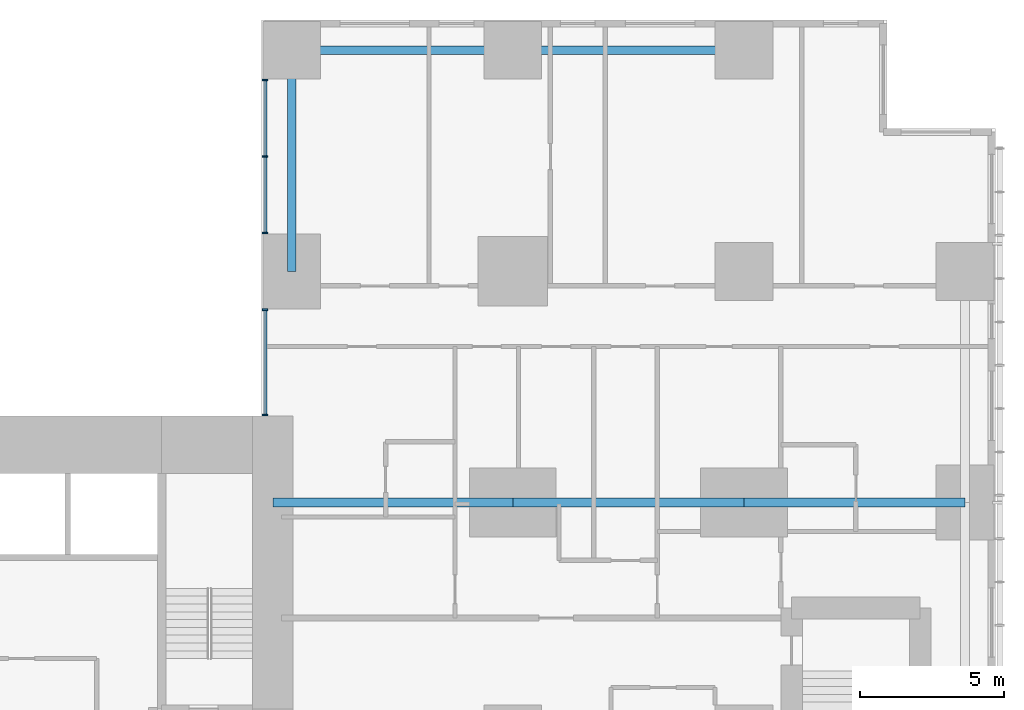
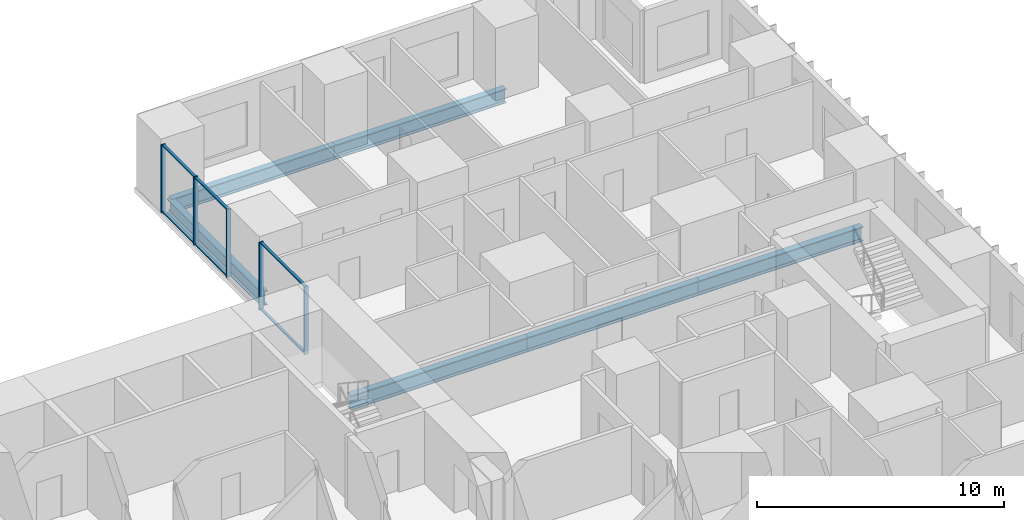
# One storey, part 5 of 20: 11 members, 6 beams, 2 elements without a shape of their own.
"""IFC4 building model written with IfcOpenShell, lengths in metres."""

from ifc_helpers import new_model, si_unit, direction, frame, origin, origin_2d, place, context, subcontext, project, spatial, rectangle, i_section, extrude, material, layer, layer_set, material_profile, profile_set, type_object, element, aggregate, save


model = new_model("IFC4")

# Units and contexts
model_context = context("Model", 3, precision=1e-05, world=origin(), true_north=direction((0.0, 1.0)))
body_context = subcontext(model_context, "Body", "Model", "MODEL_VIEW")
ifc_project = project(units=[si_unit("LENGTHUNIT", "METRE"), si_unit("AREAUNIT", "SQUARE_METRE"), si_unit("VOLUMEUNIT", "CUBIC_METRE"), si_unit("PLANEANGLEUNIT", "RADIAN"), si_unit("MASSUNIT", "GRAM", prefix="KILO")], contexts=[model_context])

# Site, building, storey
site_placement = place(None, origin())
site = spatial("IfcSite", under=ifc_project, at=site_placement, CompositionType="ELEMENT")
building_placement = place(site_placement, origin())
building = spatial("IfcBuilding", under=site, at=building_placement, Name="Cleftline Residences", CompositionType="ELEMENT")
storey_placement = place(building_placement, frame((0.0, 0.0, 117.800048828125)))
storey = spatial("IfcBuildingStorey", under=building, at=storey_placement, Name="L30", CompositionType="ELEMENT", Elevation=117.800048828125)

# Beams
ifc_material_1 = material(Name="Steel S355", Category="steel")
ifc_material_profile_1 = material_profile(ifc_material_1, i_section(OverallWidth=0.300048828125, OverallDepth=0.699951171875, WebThickness=0.01708984375, FlangeThickness=0.031982421875, FilletRadius=0.027099609375, at=origin_2d()))
ifc_profile_set_1 = profile_set([ifc_material_profile_1], Name="Steel S355")
beam_type_1 = type_object("IfcBeamType", Name="BEAM HEB 700", PredefinedType="BEAM", material=ifc_profile_set_1)
beam_1_placement = place(storey_placement, frame((58.0, 47.64990234375, -0.60009765625), z_axis=(-1.0, 0.0, 0.0), x_axis=(0.0, -1.0, 0.0)))
element("IfcBeam", 1, at=beam_1_placement, inside=storey, type_object=beam_type_1, Name="Edge beam", PredefinedType="BEAM", context=body_context, shape_type="SweptSolid", body=[
    extrude(i_section(OverallWidth=0.300048828125, OverallDepth=0.699951171875, WebThickness=0.01708984375, FlangeThickness=0.031982421875, FilletRadius=0.027099609375, at=origin_2d()), origin(), (0.0, 0.0, 1.0), 8.0),
])
for number, where, z_axis, x_axis, name in (
    (2, (50.0, 47.64990234375, -0.60009765625), (-1.0, 0.0, 0.0), (0.0, -1.0, 0.0), "Edge beam"),
    (3, (42.35009765625, 47.64990234375, -0.60009765625), (0.0, -1.0, 0.0), (1.0, 0.0, 0.0), "Edge beam"),
):
    element("IfcBeam", number, at=place(storey_placement, frame(where, z_axis=z_axis, x_axis=x_axis)), inside=storey, type_object=beam_type_1, Name=name, PredefinedType="BEAM", context=body_context, shape_type="SweptSolid", body=[
        extrude(i_section(OverallWidth=0.300048828125, OverallDepth=0.699951171875, WebThickness=0.01708984375, FlangeThickness=0.031982421875, FilletRadius=0.027099609375, at=origin_2d()), origin(), (0.0, 0.0, 1.0), 7.64990234375),
    ])
ifc_material_2 = material(Name="Steel S355", Category="steel")
ifc_material_profile_2 = material_profile(ifc_material_2, i_section(OverallWidth=0.303955078125, OverallDepth=0.716064453125, WebThickness=0.02099609375, FlangeThickness=0.0400390625, FilletRadius=0.027099609375, at=origin_2d()))
ifc_profile_set_2 = profile_set([ifc_material_profile_2], Name="Steel S355")
beam_type_2 = type_object("IfcBeamType", Name="BEAM HEM 700", PredefinedType="BEAM", material=ifc_profile_set_2)
beam_2_placement = place(storey_placement, frame((65.64990234375, 32.0, -0.608154296875), z_axis=(-1.0, 0.0, 0.0), x_axis=(0.0, -1.0, 0.0)))
element("IfcBeam", 4, at=beam_2_placement, inside=storey, type_object=beam_type_2, Name="Band beam", PredefinedType="BEAM", context=body_context, shape_type="SweptSolid", body=[
    extrude(i_section(OverallWidth=0.303955078125, OverallDepth=0.716064453125, WebThickness=0.02099609375, FlangeThickness=0.0400390625, FilletRadius=0.027099609375, at=origin_2d()), origin(), (0.0, 0.0, 1.0), 7.64990234375),
])
beam_3_placement = place(storey_placement, frame((58.0, 32.0, -0.608154296875), z_axis=(-1.0, 0.0, 0.0), x_axis=(0.0, -1.0, 0.0)))
element("IfcBeam", 5, at=beam_3_placement, inside=storey, type_object=beam_type_2, Name="Band beam", PredefinedType="BEAM", context=body_context, shape_type="SweptSolid", body=[
    extrude(i_section(OverallWidth=0.303955078125, OverallDepth=0.716064453125, WebThickness=0.02099609375, FlangeThickness=0.0400390625, FilletRadius=0.027099609375, at=origin_2d()), origin(), (0.0, 0.0, 1.0), 8.0),
])
beam_4_placement = place(storey_placement, frame((50.0, 32.0, -0.608154296875), z_axis=(-1.0, 0.0, 0.0), x_axis=(0.0, -1.0, 0.0)))
element("IfcBeam", 6, at=beam_4_placement, inside=storey, type_object=beam_type_2, Name="Band beam", PredefinedType="BEAM", context=body_context, shape_type="SweptSolid", body=[
    extrude(i_section(OverallWidth=0.303955078125, OverallDepth=0.716064453125, WebThickness=0.02099609375, FlangeThickness=0.0400390625, FilletRadius=0.027099609375, at=origin_2d()), origin(), (0.0, 0.0, 1.0), 8.300048828125),
])

# Curtain wall, members
ifc_material_3 = material(Name="Aluminium framed curtain wall", Category="aluminium")
ifc_layer = layer(ifc_material_3, 0.199951171875)
ifc_layer_set = layer_set([ifc_layer], Name="CW1 CLEFT GLAZING")
curtain_wall_type = type_object("IfcCurtainWallType", Name="CW1 CLEFT GLAZING", PredefinedType="NOTDEFINED", material=ifc_layer_set)
curtain_wall_1_placement = place(storey_placement, origin())
curtain_wall_1 = element("IfcCurtainWall", 7, at=curtain_wall_1_placement, inside=storey, type_object=curtain_wall_type, Name="Curtain wall CW1", PredefinedType="NOTDEFINED")
ifc_material_4 = material(Name="Aluminium mullion", Category="aluminium")
ifc_material_profile_3 = material_profile(ifc_material_4, rectangle(XDim=0.199951171875, YDim=0.06005859375, at=origin_2d()))
ifc_profile_set_3 = profile_set([ifc_material_profile_3], Name="Aluminium mullion")
member_type_1 = type_object("IfcMemberType", Name="CW1 MULLION", PredefinedType="MULLION", material=ifc_profile_set_3)
member_1_placement = place(storey_placement, frame((41.425048828125, 46.6201171875, 0.0), z_axis=(0.0, 0.0, 1.0), x_axis=(1.0, 0.0, 0.0)))
member_1 = element("IfcMember", 8, at=member_1_placement, type_object=member_type_1, Name="CW1 mullion 1", PredefinedType="MULLION", context=body_context, shape_type="SweptSolid", body=[
    extrude(rectangle(XDim=0.199951171875, YDim=0.06005859375, at=origin_2d()), origin(), (0.0, 0.0, 1.0), 3.349853515625),
])
member_2_placement = place(storey_placement, frame((41.425048828125, 43.97509765625, 0.0), z_axis=(0.0, 0.0, 1.0), x_axis=(1.0, 0.0, 0.0)))
member_2 = element("IfcMember", 9, at=member_2_placement, type_object=member_type_1, Name="CW1 mullion 2", PredefinedType="MULLION", context=body_context, shape_type="SweptSolid", body=[
    extrude(rectangle(XDim=0.199951171875, YDim=0.06005859375, at=origin_2d()), origin(), (0.0, 0.0, 1.0), 3.349853515625),
])
member_3_placement = place(storey_placement, frame((41.425048828125, 41.330078125, 0.0), z_axis=(0.0, 0.0, 1.0), x_axis=(1.0, 0.0, 0.0)))
member_3 = element("IfcMember", 10, at=member_3_placement, type_object=member_type_1, Name="CW1 mullion 3", PredefinedType="MULLION", context=body_context, shape_type="SweptSolid", body=[
    extrude(rectangle(XDim=0.199951171875, YDim=0.06005859375, at=origin_2d()), origin(), (0.0, 0.0, 1.0), 3.349853515625),
])

curtain_wall_2_placement = place(storey_placement, origin())
curtain_wall_2 = element("IfcCurtainWall", 11, at=curtain_wall_2_placement, inside=storey, type_object=curtain_wall_type, Name="Curtain wall CW1", PredefinedType="NOTDEFINED")
member_4_placement = place(storey_placement, frame((41.425048828125, 38.669921875, 0.0), z_axis=(0.0, 0.0, 1.0), x_axis=(1.0, 0.0, 0.0)))
member_4 = element("IfcMember", 12, at=member_4_placement, type_object=member_type_1, Name="CW1 mullion 1", PredefinedType="MULLION", context=body_context, shape_type="SweptSolid", body=[
    extrude(rectangle(XDim=0.199951171875, YDim=0.06005859375, at=origin_2d()), origin(), (0.0, 0.0, 1.0), 3.349853515625),
])
member_5_placement = place(storey_placement, frame((41.425048828125, 35.030029296875, 0.0), z_axis=(0.0, 0.0, 1.0), x_axis=(1.0, 0.0, 0.0)))
member_5 = element("IfcMember", 13, at=member_5_placement, type_object=member_type_1, Name="CW1 mullion 2", PredefinedType="MULLION", context=body_context, shape_type="SweptSolid", body=[
    extrude(rectangle(XDim=0.199951171875, YDim=0.06005859375, at=origin_2d()), origin(), (0.0, 0.0, 1.0), 3.349853515625),
])

# Member
ifc_material_5 = material(Name="Aluminium transom", Category="aluminium")
ifc_material_profile_4 = material_profile(ifc_material_5, rectangle(XDim=0.1201171875, YDim=0.06005859375, at=origin_2d()))
ifc_profile_set_4 = profile_set([ifc_material_profile_4], Name="Aluminium transom")
member_type_2 = type_object("IfcMemberType", Name="CW1 TRANSOM", PredefinedType="USERDEFINED", material=ifc_profile_set_4)
member_6_placement = place(storey_placement, frame((41.425048828125, 46.590087890625, 0.030029296875), z_axis=(0.0, -1.0, 0.0), x_axis=(1.0, 0.0, 0.0)))
member_6 = element("IfcMember", 14, at=member_6_placement, type_object=member_type_2, Name="CW1 transom 1.1", ObjectType="TRANSOM", PredefinedType="USERDEFINED", context=body_context, shape_type="SweptSolid", body=[
    extrude(rectangle(XDim=0.1201171875, YDim=0.06005859375, at=origin_2d()), origin(), (0.0, 0.0, 1.0), 2.585205078125),
])

member_7_placement = place(storey_placement, frame((41.425048828125, 46.590087890625, 3.320068359375), z_axis=(0.0, -1.0, 0.0), x_axis=(1.0, 0.0, 0.0)))
member_7 = element("IfcMember", 15, at=member_7_placement, type_object=member_type_2, Name="CW1 transom 1.2", ObjectType="TRANSOM", PredefinedType="USERDEFINED", context=body_context, shape_type="SweptSolid", body=[
    extrude(rectangle(XDim=0.1201171875, YDim=0.06005859375, at=origin_2d()), origin(), (0.0, 0.0, 1.0), 2.585205078125),
])

member_8_placement = place(storey_placement, frame((41.425048828125, 43.945068359375, 0.030029296875), z_axis=(0.0, -1.0, 0.0), x_axis=(1.0, 0.0, 0.0)))
member_8 = element("IfcMember", 16, at=member_8_placement, type_object=member_type_2, Name="CW1 transom 2.1", ObjectType="TRANSOM", PredefinedType="USERDEFINED", context=body_context, shape_type="SweptSolid", body=[
    extrude(rectangle(XDim=0.1201171875, YDim=0.06005859375, at=origin_2d()), origin(), (0.0, 0.0, 1.0), 2.5849609375),
])

member_9_placement = place(storey_placement, frame((41.425048828125, 43.945068359375, 3.320068359375), z_axis=(0.0, -1.0, 0.0), x_axis=(1.0, 0.0, 0.0)))
member_9 = element("IfcMember", 17, at=member_9_placement, type_object=member_type_2, Name="CW1 transom 2.2", ObjectType="TRANSOM", PredefinedType="USERDEFINED", context=body_context, shape_type="SweptSolid", body=[
    extrude(rectangle(XDim=0.1201171875, YDim=0.06005859375, at=origin_2d()), origin(), (0.0, 0.0, 1.0), 2.5849609375),
])

aggregate(curtain_wall_1, [member_1, member_2, member_3, member_6, member_7, member_8, member_9])

member_10_placement = place(storey_placement, frame((41.425048828125, 38.639892578125, 0.030029296875), z_axis=(0.0, -1.0, 0.0), x_axis=(1.0, 0.0, 0.0)))
member_10 = element("IfcMember", 18, at=member_10_placement, type_object=member_type_2, Name="CW1 transom 1.1", ObjectType="TRANSOM", PredefinedType="USERDEFINED", context=body_context, shape_type="SweptSolid", body=[
    extrude(rectangle(XDim=0.1201171875, YDim=0.06005859375, at=origin_2d()), origin(), (0.0, 0.0, 1.0), 3.579833984375),
])

member_11_placement = place(storey_placement, frame((41.425048828125, 38.639892578125, 3.320068359375), z_axis=(0.0, -1.0, 0.0), x_axis=(1.0, 0.0, 0.0)))
member_11 = element("IfcMember", 19, at=member_11_placement, type_object=member_type_2, Name="CW1 transom 1.2", ObjectType="TRANSOM", PredefinedType="USERDEFINED", context=body_context, shape_type="SweptSolid", body=[
    extrude(rectangle(XDim=0.1201171875, YDim=0.06005859375, at=origin_2d()), origin(), (0.0, 0.0, 1.0), 3.579833984375),
])

aggregate(curtain_wall_2, [member_4, member_5, member_10, member_11])

save(model, "model.ifc")
